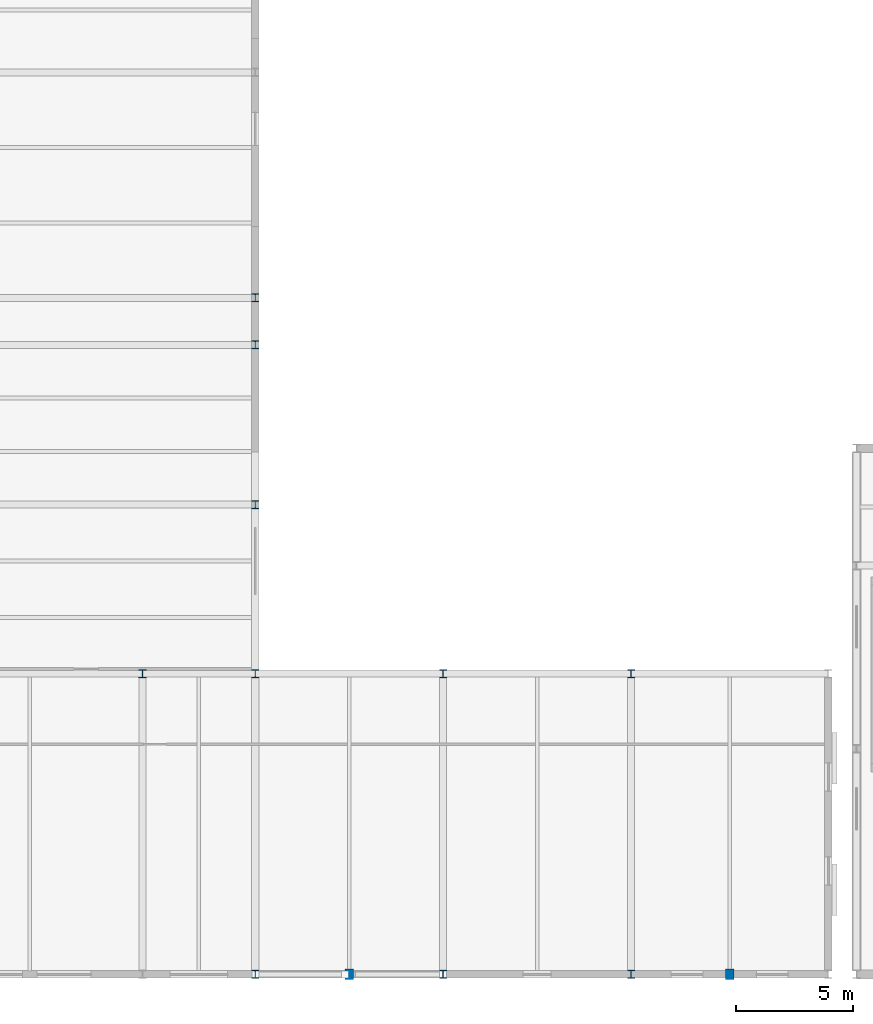
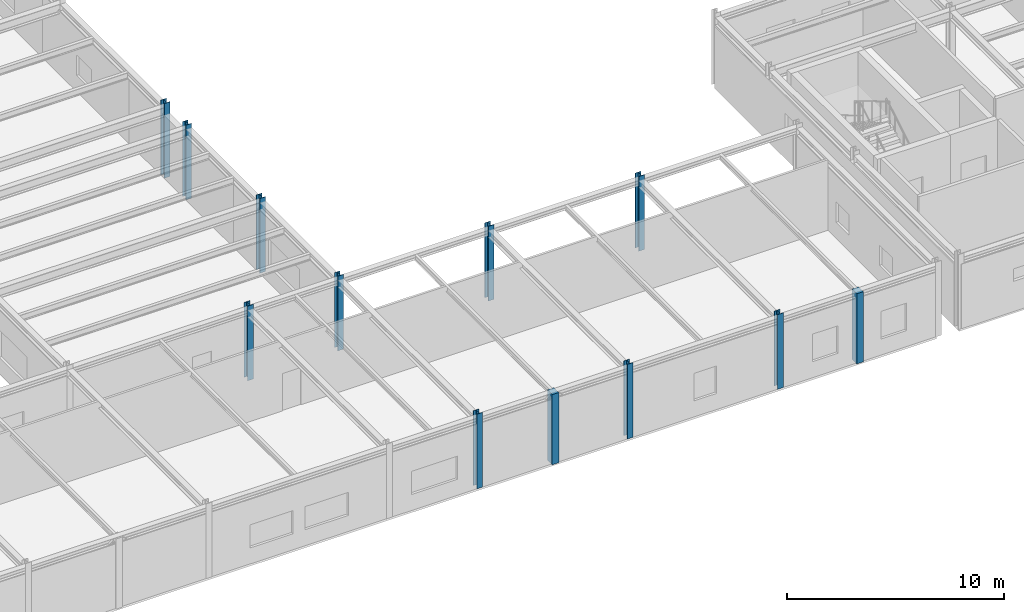
# One storey, part 6 of 99: 12 columns.
"""IFC4 building model written with IfcOpenShell, lengths in metres."""

from ifc_helpers import new_model, si_unit, direction, frame, origin, origin_2d, place, context, subcontext, project, spatial, rectangle, i_section, extrude, material, material_profile, profile_set, type_object, element, save


model = new_model("IFC4")

# Units and contexts
model_context = context("Model", 3, precision=1e-05, world=origin(), true_north=direction((0.0, 1.0)))
body_context = subcontext(model_context, "Body", "Model", "MODEL_VIEW")
ifc_project = project(units=[si_unit("LENGTHUNIT", "METRE"), si_unit("AREAUNIT", "SQUARE_METRE"), si_unit("VOLUMEUNIT", "CUBIC_METRE"), si_unit("PLANEANGLEUNIT", "RADIAN"), si_unit("MASSUNIT", "GRAM", prefix="KILO")], contexts=[model_context])

# Site, building, storey
site_placement = place(None, origin())
site = spatial("IfcSite", under=ifc_project, at=site_placement, CompositionType="ELEMENT")
building_placement = place(site_placement, origin())
building = spatial("IfcBuilding", under=site, at=building_placement, Name="Nordkorset Police Headquarters", CompositionType="ELEMENT")
storey_placement = place(building_placement, frame((0.0, 0.0, 5.25)))
storey = spatial("IfcBuildingStorey", under=building, at=storey_placement, Name="L01", CompositionType="ELEMENT", Elevation=5.25)

# Columns
ifc_material_1 = material(Name="Steel S355J2", Category="steel")
ifc_material_profile_1 = material_profile(ifc_material_1, i_section(OverallWidth=0.300048828125, OverallDepth=0.340087890625, WebThickness=0.011962890625, FlangeThickness=0.021484375, FilletRadius=0.027099609375, at=origin_2d()), Name="HEB 340")
ifc_profile_set_1 = profile_set([ifc_material_profile_1], Name="Steel S355J2")
column_type_1 = type_object("IfcColumnType", Name="Col_HEB_340", PredefinedType="COLUMN", material=ifc_profile_set_1)
for number, where, z_axis, x_axis, name in (
    (1, (96.0, 12.800048828125, 0.0), (0.0, 0.0, 1.0), (1.0, 0.0, 0.0), "Structural Column V7_S1_10 L01"),
    (2, (100.800048828125, 0.0, 0.0), (0.0, 0.0, 1.0), (1.0, 0.0, 0.0), "Structural Column V7_S0_11 L01"),
    (3, (100.800048828125, 12.800048828125, 0.0), (0.0, 0.0, 1.0), (1.0, 0.0, 0.0), "Structural Column V7_S1_11 L01"),
    (4, (108.800048828125, 0.0, 0.0), (0.0, 0.0, 1.0), (1.0, 0.0, 0.0), "Structural Column V7_S0_12 L01"),
    (5, (108.800048828125, 12.800048828125, 0.0), (0.0, 0.0, 1.0), (1.0, 0.0, 0.0), "Structural Column V7_S1_12 L01"),
    (6, (116.800048828125, 0.0, 0.0), (0.0, 0.0, 1.0), (1.0, 0.0, 0.0), "Structural Column V7_S0_13 L01"),
    (7, (116.800048828125, 12.800048828125, 0.0), (0.0, 0.0, 1.0), (1.0, 0.0, 0.0), "Structural Column V7_S1_13 L01"),
    (8, (100.800048828125, 20.0, 0.0), (0.0, 0.0, 1.0), (1.0, 0.0, 0.0), "Structural Column V7_EC_1_200 L01"),
    (9, (100.800048828125, 26.800048828125, 0.0), (0.0, 0.0, 1.0), (1.0, 0.0, 0.0), "Structural Column V7_EC_1_268 L01"),
    (10, (100.800048828125, 28.800048828125, 0.0), (0.0, 0.0, 1.0), (1.0, 0.0, 0.0), "Structural Column V7_EC_1_288 L01"),
):
    element("IfcColumn", number, at=place(storey_placement, frame(where, z_axis=z_axis, x_axis=x_axis)), inside=storey, type_object=column_type_1, Name=name, PredefinedType="COLUMN", context=body_context, shape_type="SweptSolid", body=[
        extrude(i_section(OverallWidth=0.300048828125, OverallDepth=0.340087890625, WebThickness=0.011962890625, FlangeThickness=0.021484375, FilletRadius=0.027099609375, at=origin_2d()), origin(), (0.0, 0.0, 1.0), 4.199951171875),
    ])
ifc_material_2 = material(Name="Concrete C45/55", Category="concrete")
ifc_material_profile_2 = material_profile(ifc_material_2, rectangle(XDim=0.35009765625, YDim=0.449951171875, at=origin_2d()), Name="RC 450x350")
ifc_profile_set_2 = profile_set([ifc_material_profile_2], Name="Concrete C45/55")
column_type_2 = type_object("IfcColumnType", Name="Pilaster_RC_450x350", PredefinedType="PILASTER", material=ifc_profile_set_2)
for number, where, z_axis, x_axis, name in (
    (11, (104.800048828125, 0.0, 0.0), (0.0, 0.0, 1.0), (1.0, 0.0, 0.0), "Perimeter Pilaster 07 L01"),
    (12, (121.0, 0.0, 0.0), (0.0, 0.0, 1.0), (1.0, 0.0, 0.0), "Perimeter Pilaster 08 L01"),
):
    element("IfcColumn", number, at=place(storey_placement, frame(where, z_axis=z_axis, x_axis=x_axis)), inside=storey, type_object=column_type_2, Name=name, PredefinedType="PILASTER", context=body_context, shape_type="SweptSolid", body=[
        extrude(rectangle(XDim=0.35009765625, YDim=0.449951171875, at=origin_2d()), origin(), (0.0, 0.0, 1.0), 3.949951171875),
    ])

save(model, "model.ifc")
